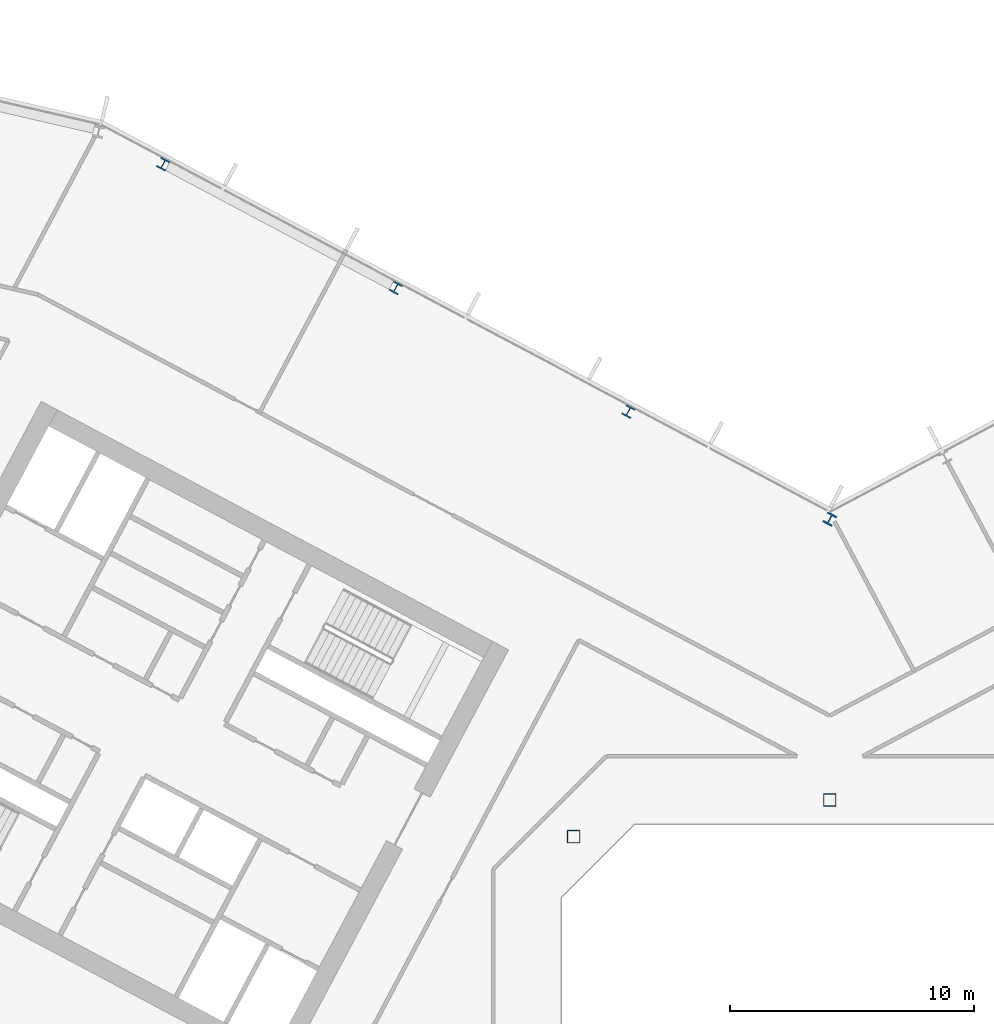
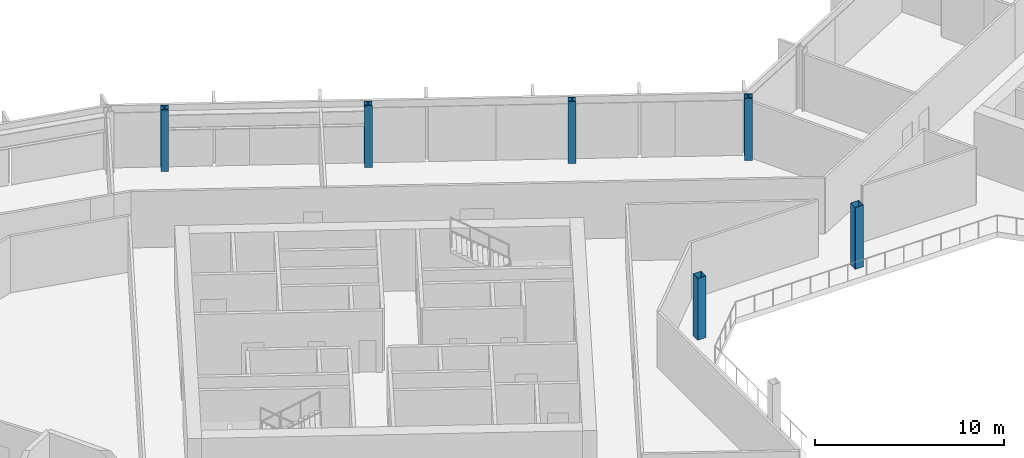
# One storey, part 4 of 28: 6 columns.
"""IFC4 building model written with IfcOpenShell, lengths in metres."""

from ifc_helpers import new_model, si_unit, direction, frame, origin, origin_2d, place, context, subcontext, project, spatial, hollow_rectangle, i_section, extrude, material, material_profile, profile_set, type_object, element, save


model = new_model("IFC4")

# Units and contexts
model_context = context("Model", 3, precision=1e-05, world=origin(), true_north=direction((0.0, 1.0)))
body_context = subcontext(model_context, "Body", "Model", "MODEL_VIEW")
ifc_project = project(units=[si_unit("LENGTHUNIT", "METRE"), si_unit("AREAUNIT", "SQUARE_METRE"), si_unit("VOLUMEUNIT", "CUBIC_METRE"), si_unit("PLANEANGLEUNIT", "RADIAN"), si_unit("MASSUNIT", "GRAM", prefix="KILO")], contexts=[model_context])

# Site, building, storey
site_placement = place(None, origin())
site = spatial("IfcSite", under=ifc_project, at=site_placement, CompositionType="ELEMENT")
building_placement = place(site_placement, origin())
building = spatial("IfcBuilding", under=site, at=building_placement, Name="Cormorant Relay Tower", CompositionType="ELEMENT")
storey_placement = place(building_placement, frame((0.0, 0.0, 126.199951171875)))
storey = spatial("IfcBuildingStorey", under=building, at=storey_placement, Name="L25", CompositionType="ELEMENT", Elevation=126.199951171875)

# Columns
ifc_material_1 = material(Name="Steel ASTM A500 Grade C (Fy 345 MPa)", Category="steel")
ifc_material_profile_1 = material_profile(ifc_material_1, hollow_rectangle(XDim=0.508056640625, YDim=0.508056640625, WallThickness=0.01171875, InnerFilletRadius=0.005859375, OuterFilletRadius=0.017822265625, at=origin_2d()), Name="HSS508x508x12")
ifc_profile_set_1 = profile_set([ifc_material_profile_1], Name="Steel ASTM A500 Grade C (Fy 345 MPa)")
column_type_1 = type_object("IfcColumnType", Name="Column HSS508x508x12", PredefinedType="COLUMN", material=ifc_profile_set_1)
for number, where, z_axis, x_axis, name in (
    (1, (-10.5, 10.5, 0.0), (0.0, 0.0, 1.0), (1.0, 0.0, 0.0), "Column L25-023"),
    (2, (0.0, 12.0, 0.0), (0.0, 0.0, 1.0), (1.0, 0.0, 0.0), "Column L25-025"),
):
    element("IfcColumn", number, at=place(storey_placement, frame(where, z_axis=z_axis, x_axis=x_axis)), inside=storey, type_object=column_type_1, Name=name, PredefinedType="COLUMN", context=body_context, shape_type="SweptSolid", body=[
        extrude(hollow_rectangle(XDim=0.508056640625, YDim=0.508056640625, WallThickness=0.01171875, InnerFilletRadius=0.005859375, OuterFilletRadius=0.017822265625, at=origin_2d()), origin(), (0.0, 0.0, 1.0), 4.0),
    ])
ifc_material_2 = material(Name="Steel ASTM A992 (Fy 345 MPa)", Category="steel")
ifc_material_profile_2 = material_profile(ifc_material_2, i_section(OverallWidth=0.41162109375, OverallDepth=0.434326171875, WebThickness=0.035888671875, FlangeThickness=0.057373046875, FilletRadius=0.01513671875, at=origin_2d()), Name="W360x463")
ifc_profile_set_2 = profile_set([ifc_material_profile_2], Name="Steel ASTM A992 (Fy 345 MPa)")
column_type_2 = type_object("IfcColumnType", Name="Column W360x463", PredefinedType="COLUMN", material=ifc_profile_set_2)
for number, where, z_axis, x_axis, name in (
    (3, (-8.257080078125, 27.925048828125, 0.0), (0.0, 0.0, 1.0), (-0.882947592859, 0.469471562786, 0.0), "Column L25-036"),
    (4, (-17.7919921875, 32.9951171875, 0.0), (0.0, 0.0, 1.0), (-0.882947592859, 0.469471562786, 0.0), "Column L25-040"),
    (5, (-27.327880859375, 38.06494140625, 0.0), (0.0, 0.0, 1.0), (-0.882947592859, 0.469471562786, 0.0), "Column L25-044"),
):
    element("IfcColumn", number, at=place(storey_placement, frame(where, z_axis=z_axis, x_axis=x_axis)), inside=storey, type_object=column_type_2, Name=name, PredefinedType="COLUMN", context=body_context, shape_type="SweptSolid", body=[
        extrude(i_section(OverallWidth=0.41162109375, OverallDepth=0.434326171875, WebThickness=0.035888671875, FlangeThickness=0.057373046875, FilletRadius=0.01513671875, at=origin_2d()), origin(), (0.0, 0.0, 1.0), 4.0),
    ])
ifc_material_3 = material(Name="Steel ASTM A992 (Fy 345 MPa)", Category="steel")
ifc_material_profile_3 = material_profile(ifc_material_3, i_section(OverallWidth=0.42431640625, OverallDepth=0.47509765625, WebThickness=0.0478515625, FlangeThickness=0.0771484375, FilletRadius=0.014892578125, at=origin_2d()), Name="W360x634")
ifc_profile_set_3 = profile_set([ifc_material_profile_3], Name="Steel ASTM A992 (Fy 345 MPa)")
column_type_3 = type_object("IfcColumnType", Name="Column W360x634", PredefinedType="COLUMN", material=ifc_profile_set_3)
column_placement = place(storey_placement, frame((0.0, 23.513916015625, 0.0), z_axis=(0.0, 0.0, 1.0), x_axis=(-0.882947592859, 0.469471562786, 0.0)))
element("IfcColumn", 6, at=column_placement, inside=storey, type_object=column_type_3, Name="Column L25-032", PredefinedType="COLUMN", context=body_context, shape_type="SweptSolid", body=[
    extrude(i_section(OverallWidth=0.42431640625, OverallDepth=0.47509765625, WebThickness=0.0478515625, FlangeThickness=0.0771484375, FilletRadius=0.014892578125, at=origin_2d()), origin(), (0.0, 0.0, 1.0), 4.0),
])

save(model, "model.ifc")
